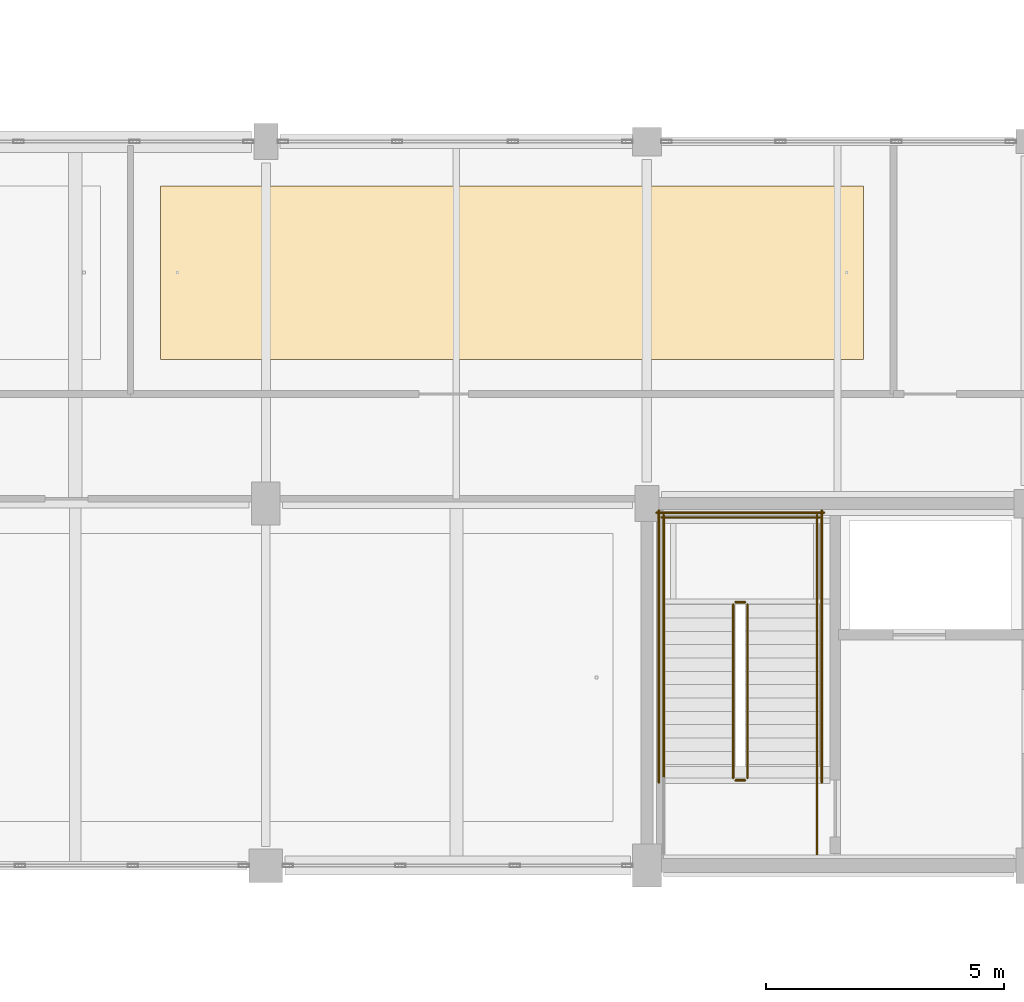
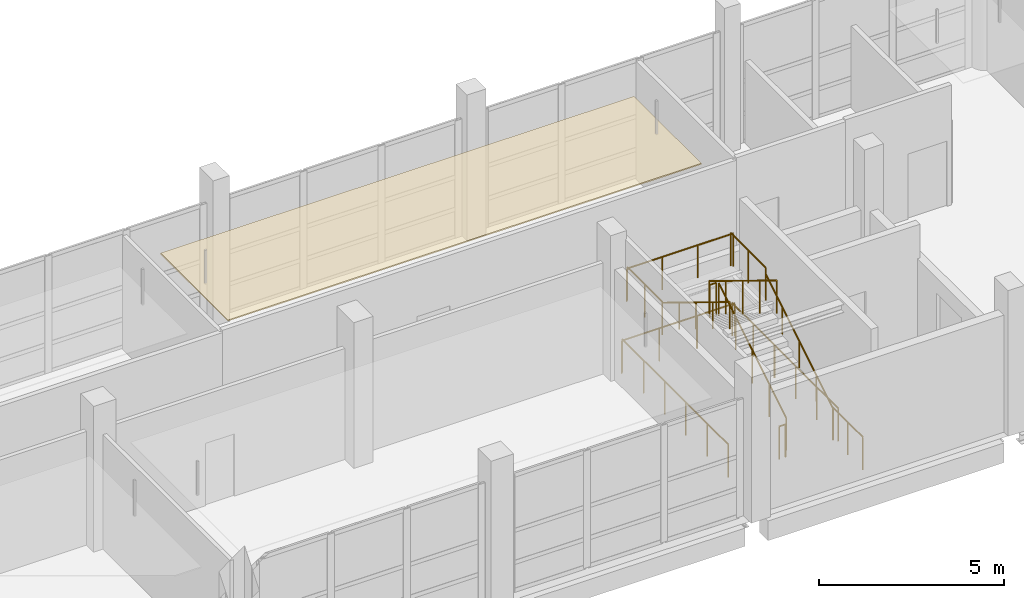
# One storey, part 134 of 141: 13 railings, 1 covering.
"""IFC4 building model written with IfcOpenShell, lengths in metres."""

from ifc_helpers import new_model, si_unit, direction, frame, origin, origin_2d, place, context, subcontext, project, spatial, polyline, circle, outline, extrude, material, layer, layer_set, type_object, element, save


model = new_model("IFC4")

# Units and contexts
model_context = context("Model", 3, precision=1e-05, world=origin(), true_north=direction((0.0, 1.0)))
body_context = subcontext(model_context, "Body", "Model", "MODEL_VIEW")
ifc_project = project(units=[si_unit("LENGTHUNIT", "METRE"), si_unit("AREAUNIT", "SQUARE_METRE"), si_unit("VOLUMEUNIT", "CUBIC_METRE"), si_unit("PLANEANGLEUNIT", "RADIAN"), si_unit("MASSUNIT", "GRAM", prefix="KILO")], contexts=[model_context])

# Site, building, storey
site_placement = place(None, origin())
site = spatial("IfcSite", under=ifc_project, at=site_placement, CompositionType="ELEMENT")
building_placement = place(site_placement, origin())
building = spatial("IfcBuilding", under=site, at=building_placement, Name="Khelvaren Railside Concert Hall", CompositionType="ELEMENT")
storey_placement = place(building_placement, frame((0.0, 0.0, 10.199951171875)))
storey = spatial("IfcBuildingStorey", under=building, at=storey_placement, Name="L02", CompositionType="ELEMENT", Elevation=10.199951171875)

# Covering
ifc_material_1 = material(Name="Mineral-wool acoustic baffle ceiling", Category="gypsum")
ifc_layer = layer(ifc_material_1, 0.0400390625)
ifc_layer_set = layer_set([ifc_layer], Name="Mineral-wool acoustic baffle ceiling")
covering_type = type_object("IfcCoveringType", Name="CLG20", PredefinedType="CEILING", material=ifc_layer_set)
covering_placement = place(storey_placement, frame((0.0, 0.0, 3.41015625)))
element("IfcCovering", 1, at=covering_placement, inside=storey, type_object=covering_type, Name="Suspended Acoustic Ceiling Historical Recording Listening Library", PredefinedType="CEILING", context=body_context, shape_type="SweptSolid", body=[
    extrude(outline(polyline([(109.7890625, 10.6298828125), (124.5439453125, 10.6298828125), (124.5439453125, 14.27001953125), (109.7890625, 14.27001953125), (109.7890625, 10.6298828125)])), origin(), (0.0, 0.0, 1.0), 0.039794921875),
])

# Railings
ifc_material_2 = material(Name="Painted architectural steel", Category="steel")
railing_type_1 = type_object("IfcRailingType", Name="GRD86", PredefinedType="GUARDRAIL", material=ifc_material_2)
railing_1_placement = place(storey_placement, frame((122.110107421875, 1.840087890625, 0.17138671875)))
element("IfcRailing", 2, at=railing_1_placement, inside=storey, type_object=railing_type_1, Name="L02 ST-06 stair guard 1", PredefinedType="GUARDRAIL", context=body_context, shape_type="SweptSolid", body=[
    extrude(circle(Radius=0.02392578125, at=origin_2d()), frame((0.0, 0.0, 1.076171875), z_axis=(0.0, 0.852824790078, 0.522197163366), x_axis=(-1.0, 0.0, 0.0)), (0.0, 0.0, 1.0), 4.26806640625),
    extrude(circle(Radius=0.02099609375, at=origin_2d()), origin(), (0.0, 0.0, 1.0), 1.052001953125),
    extrude(circle(Radius=0.02099609375, at=origin_2d()), frame((0.0, 0.909912109375, 0.55712890625)), (0.0, 0.0, 1.0), 1.052001953125),
    extrude(circle(Radius=0.02099609375, at=origin_2d()), frame((0.0, 1.81982421875, 1.1142578125)), (0.0, 0.0, 1.0), 1.052001953125),
    extrude(circle(Radius=0.02099609375, at=origin_2d()), frame((0.0, 2.72998046875, 1.671630859375)), (0.0, 0.0, 1.0), 1.052001953125),
    extrude(circle(Radius=0.02099609375, at=origin_2d()), frame((0.0, 3.639892578125, 2.228759765625)), (0.0, 0.0, 1.0), 1.052001953125),
])
railing_2_placement = place(storey_placement, frame((122.06005859375, 5.530029296875, 2.400146484375)))
element("IfcRailing", 3, at=railing_2_placement, inside=storey, type_object=railing_type_1, Name="L02 ST-06 stair guard 2", PredefinedType="GUARDRAIL", context=body_context, shape_type="SweptSolid", body=[
    extrude(circle(Radius=0.02392578125, at=origin_2d()), frame((0.0, 0.0, 1.076171875), z_axis=(-1.0, 0.0, 0.0), x_axis=(0.0, -1.0, 0.0)), (0.0, 0.0, 1.0), 0.199951171875),
    extrude(circle(Radius=0.02099609375, at=origin_2d()), origin(), (0.0, 0.0, 1.0), 1.052001953125),
    extrude(circle(Radius=0.02099609375, at=origin_2d()), frame((-0.199951171875, 0.0, 0.0)), (0.0, 0.0, 1.0), 1.052001953125),
])
for number, where, name in (
    (4, (123.570068359375, 5.47998046875, 2.400146484375), "L02 ST-06 stair guard 3"),
    (5, (120.35009765625, 5.47998046875, 2.400146484375), "L02 ST-06 stair guard 4"),
):
    element("IfcRailing", number, at=place(storey_placement, frame(where)), inside=storey, type_object=railing_type_1, Name=name, PredefinedType="GUARDRAIL", context=body_context, shape_type="SweptSolid", body=[
        extrude(circle(Radius=0.02392578125, at=origin_2d()), frame((0.0, 0.0, 1.076171875), z_axis=(0.0, 1.0, 0.0), x_axis=(-1.0, 0.0, 0.0)), (0.0, 0.0, 1.0), 1.880126953125),
        extrude(circle(Radius=0.02099609375, at=origin_2d()), origin(), (0.0, 0.0, 1.0), 1.052001953125),
        extrude(circle(Radius=0.02099609375, at=origin_2d()), frame((0.0, 0.93994140625, 0.0)), (0.0, 0.0, 1.0), 1.052001953125),
        extrude(circle(Radius=0.02099609375, at=origin_2d()), frame((0.0, 1.880126953125, 0.0)), (0.0, 0.0, 1.0), 1.052001953125),
    ])
railing_3_placement = place(storey_placement, frame((123.6201171875, 7.31005859375, 2.400146484375)))
element("IfcRailing", 6, at=railing_3_placement, inside=storey, type_object=railing_type_1, Name="L02 ST-06 stair guard 5", PredefinedType="GUARDRAIL", context=body_context, shape_type="SweptSolid", body=[
    extrude(circle(Radius=0.02392578125, at=origin_2d()), frame((0.0, 0.0, 1.076171875), z_axis=(-1.0, 0.0, 0.0), x_axis=(0.0, -1.0, 0.0)), (0.0, 0.0, 1.0), 3.320068359375),
    extrude(circle(Radius=0.02099609375, at=origin_2d()), origin(), (0.0, 0.0, 1.0), 1.052001953125),
    extrude(circle(Radius=0.02099609375, at=origin_2d()), frame((-1.106689453125, 0.0, 0.0)), (0.0, 0.0, 1.0), 1.052001953125),
    extrude(circle(Radius=0.02099609375, at=origin_2d()), frame((-2.21337890625, 0.0, 0.0)), (0.0, 0.0, 1.0), 1.052001953125),
    extrude(circle(Radius=0.02099609375, at=origin_2d()), frame((-3.320068359375, 0.0, 0.0)), (0.0, 0.0, 1.0), 1.052001953125),
])
railing_4_placement = place(storey_placement, frame((121.81005859375, 5.47998046875, 2.571533203125)))
element("IfcRailing", 7, at=railing_4_placement, inside=storey, type_object=railing_type_1, Name="L02 ST-06 stair guard 6", PredefinedType="GUARDRAIL", context=body_context, shape_type="SweptSolid", body=[
    extrude(circle(Radius=0.02392578125, at=origin_2d()), frame((0.0, 0.0, 1.076171875), z_axis=(0.0, -0.852850264322, 0.5221555579), x_axis=(1.0, 0.0, 0.0)), (0.0, 0.0, 1.0), 4.267822265625),
    extrude(circle(Radius=0.02099609375, at=origin_2d()), origin(), (0.0, 0.0, 1.0), 1.052001953125),
    extrude(circle(Radius=0.02099609375, at=origin_2d()), frame((0.0, -0.909912109375, 0.55712890625)), (0.0, 0.0, 1.0), 1.052001953125),
    extrude(circle(Radius=0.02099609375, at=origin_2d()), frame((0.0, -1.81982421875, 1.1142578125)), (0.0, 0.0, 1.0), 1.052001953125),
    extrude(circle(Radius=0.02099609375, at=origin_2d()), frame((0.0, -2.72998046875, 1.67138671875)), (0.0, 0.0, 1.0), 1.052001953125),
    extrude(circle(Radius=0.02099609375, at=origin_2d()), frame((0.0, -3.639892578125, 2.228515625)), (0.0, 0.0, 1.0), 1.052001953125),
])
railing_5_placement = place(storey_placement, frame((122.06005859375, 1.7900390625, 0.0)))
element("IfcRailing", 8, at=railing_5_placement, inside=storey, type_object=railing_type_1, Name="L02 ST-06 stair guard 7", PredefinedType="GUARDRAIL", context=body_context, shape_type="SweptSolid", body=[
    extrude(circle(Radius=0.02392578125, at=origin_2d()), frame((0.0, 0.0, 1.076171875), z_axis=(-1.0, 0.0, 0.0), x_axis=(0.0, -1.0, 0.0)), (0.0, 0.0, 1.0), 0.199951171875),
    extrude(circle(Radius=0.02099609375, at=origin_2d()), origin(), (0.0, 0.0, 1.0), 1.052001953125),
    extrude(circle(Radius=0.02099609375, at=origin_2d()), frame((-0.199951171875, 0.0, 0.0)), (0.0, 0.0, 1.0), 1.052001953125),
])
railing_6_placement = place(storey_placement, frame((123.570068359375, 0.239990234375, 0.0)))
element("IfcRailing", 9, at=railing_6_placement, inside=storey, type_object=railing_type_1, Name="L02 ST-06 stair guard 8", PredefinedType="GUARDRAIL", context=body_context, shape_type="SweptSolid", body=[
    extrude(circle(Radius=0.02392578125, at=origin_2d()), frame((0.0, 0.0, 1.076171875), z_axis=(0.0, 1.0, 0.0), x_axis=(-1.0, 0.0, 0.0)), (0.0, 0.0, 1.0), 1.60009765625),
    extrude(circle(Radius=0.02099609375, at=origin_2d()), origin(), (0.0, 0.0, 1.0), 1.052001953125),
    extrude(circle(Radius=0.02099609375, at=origin_2d()), frame((0.0, 0.800048828125, 0.0)), (0.0, 0.0, 1.0), 1.052001953125),
    extrude(circle(Radius=0.02099609375, at=origin_2d()), frame((0.0, 1.60009765625, 0.0)), (0.0, 0.0, 1.0), 1.052001953125),
])
for number, where, name in (
    (10, (123.669921875, 1.739990234375, 0.0), "L02 ST-06 stair guard 10"),
    (11, (120.25, 1.739990234375, 0.0), "L02 ST-06 stair guard 11"),
):
    element("IfcRailing", number, at=place(storey_placement, frame(where)), inside=storey, type_object=railing_type_1, Name=name, PredefinedType="GUARDRAIL", context=body_context, shape_type="SweptSolid", body=[
        extrude(circle(Radius=0.02392578125, at=origin_2d()), frame((0.0, 0.0, 1.076171875), z_axis=(0.0, 1.0, 0.0), x_axis=(-1.0, 0.0, 0.0)), (0.0, 0.0, 1.0), 5.719970703125),
        extrude(circle(Radius=0.02099609375, at=origin_2d()), origin(), (0.0, 0.0, 1.0), 1.052001953125),
        extrude(circle(Radius=0.02099609375, at=origin_2d()), frame((0.0, 1.14404296875, 0.0)), (0.0, 0.0, 1.0), 1.052001953125),
        extrude(circle(Radius=0.02099609375, at=origin_2d()), frame((0.0, 2.2880859375, 0.0)), (0.0, 0.0, 1.0), 1.052001953125),
        extrude(circle(Radius=0.02099609375, at=origin_2d()), frame((0.0, 3.431884765625, 0.0)), (0.0, 0.0, 1.0), 1.052001953125),
        extrude(circle(Radius=0.02099609375, at=origin_2d()), frame((0.0, 4.575927734375, 0.0)), (0.0, 0.0, 1.0), 1.052001953125),
        extrude(circle(Radius=0.02099609375, at=origin_2d()), frame((0.0, 5.719970703125, 0.0)), (0.0, 0.0, 1.0), 1.052001953125),
    ])
railing_7_placement = place(storey_placement, frame((123.719970703125, 7.409912109375, 0.0)))
element("IfcRailing", 12, at=railing_7_placement, inside=storey, type_object=railing_type_1, Name="L02 ST-06 stair guard 12", PredefinedType="GUARDRAIL", context=body_context, shape_type="SweptSolid", body=[
    extrude(circle(Radius=0.02392578125, at=origin_2d()), frame((0.0, 0.0, 1.076171875), z_axis=(-1.0, 0.0, 0.0), x_axis=(0.0, -1.0, 0.0)), (0.0, 0.0, 1.0), 3.52001953125),
    extrude(circle(Radius=0.02099609375, at=origin_2d()), origin(), (0.0, 0.0, 1.0), 1.052001953125),
    extrude(circle(Radius=0.02099609375, at=origin_2d()), frame((-1.17333984375, 0.0, 0.0)), (0.0, 0.0, 1.0), 1.052001953125),
    extrude(circle(Radius=0.02099609375, at=origin_2d()), frame((-2.3466796875, 0.0, 0.0)), (0.0, 0.0, 1.0), 1.052001953125),
    extrude(circle(Radius=0.02099609375, at=origin_2d()), frame((-3.52001953125, 0.0, 0.0)), (0.0, 0.0, 1.0), 1.052001953125),
])
ifc_material_3 = material(Name="Brushed stainless steel Grade 316", Category="steel")
railing_type_2 = type_object("IfcRailingType", Name="HRL59", PredefinedType="HANDRAIL", material=ifc_material_3)
railing_8_placement = place(storey_placement, frame((123.570068359375, 1.840087890625, 0.17138671875)))
element("IfcRailing", 13, at=railing_8_placement, inside=storey, type_object=railing_type_2, Name="L02 ST-06 stair handrail 1", PredefinedType="HANDRAIL", context=body_context, shape_type="SweptSolid", body=[
    extrude(circle(Radius=0.02392578125, at=origin_2d()), frame((0.0, 0.0, 0.8759765625), z_axis=(0.0, 0.852824790078, 0.522197163366), x_axis=(-1.0, 0.0, 0.0)), (0.0, 0.0, 1.0), 4.26806640625),
    extrude(circle(Radius=0.02099609375, at=origin_2d()), origin(), (0.0, 0.0, 1.0), 0.851806640625),
    extrude(circle(Radius=0.02099609375, at=origin_2d()), frame((0.0, 0.909912109375, 0.55712890625)), (0.0, 0.0, 1.0), 0.851806640625),
    extrude(circle(Radius=0.02099609375, at=origin_2d()), frame((0.0, 1.81982421875, 1.1142578125)), (0.0, 0.0, 1.0), 0.851806640625),
    extrude(circle(Radius=0.02099609375, at=origin_2d()), frame((0.0, 2.72998046875, 1.671630859375)), (0.0, 0.0, 1.0), 0.851806640625),
    extrude(circle(Radius=0.02099609375, at=origin_2d()), frame((0.0, 3.639892578125, 2.228759765625)), (0.0, 0.0, 1.0), 0.851806640625),
])
railing_9_placement = place(storey_placement, frame((120.35009765625, 5.47998046875, 2.571533203125)))
element("IfcRailing", 14, at=railing_9_placement, inside=storey, type_object=railing_type_2, Name="L02 ST-06 stair handrail 2", PredefinedType="HANDRAIL", context=body_context, shape_type="SweptSolid", body=[
    extrude(circle(Radius=0.02392578125, at=origin_2d()), frame((0.0, 0.0, 0.8759765625), z_axis=(0.0, -0.852850264322, 0.5221555579), x_axis=(1.0, 0.0, 0.0)), (0.0, 0.0, 1.0), 4.267822265625),
    extrude(circle(Radius=0.02099609375, at=origin_2d()), origin(), (0.0, 0.0, 1.0), 0.851806640625),
    extrude(circle(Radius=0.02099609375, at=origin_2d()), frame((0.0, -0.909912109375, 0.55712890625)), (0.0, 0.0, 1.0), 0.851806640625),
    extrude(circle(Radius=0.02099609375, at=origin_2d()), frame((0.0, -1.81982421875, 1.1142578125)), (0.0, 0.0, 1.0), 0.851806640625),
    extrude(circle(Radius=0.02099609375, at=origin_2d()), frame((0.0, -2.72998046875, 1.67138671875)), (0.0, 0.0, 1.0), 0.851806640625),
    extrude(circle(Radius=0.02099609375, at=origin_2d()), frame((0.0, -3.639892578125, 2.228515625)), (0.0, 0.0, 1.0), 0.851806640625),
])

save(model, "model.ifc")
